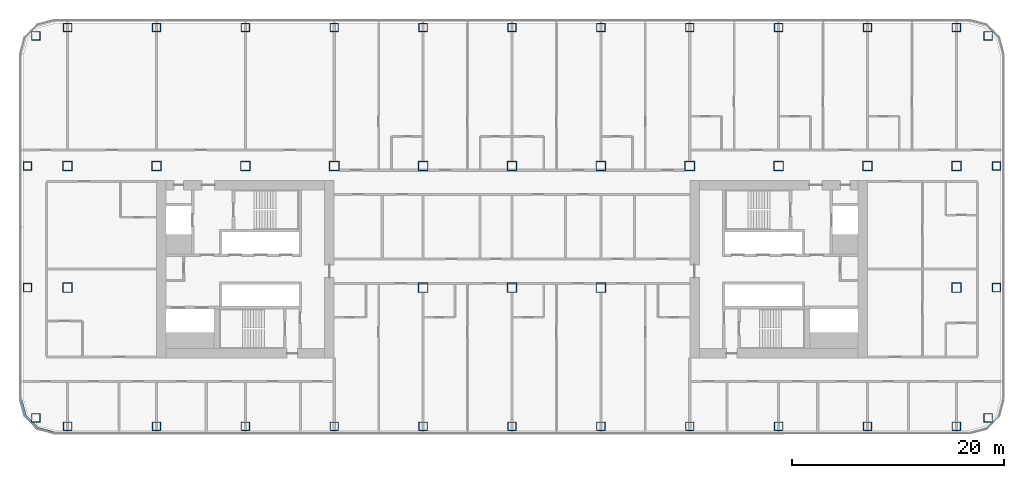
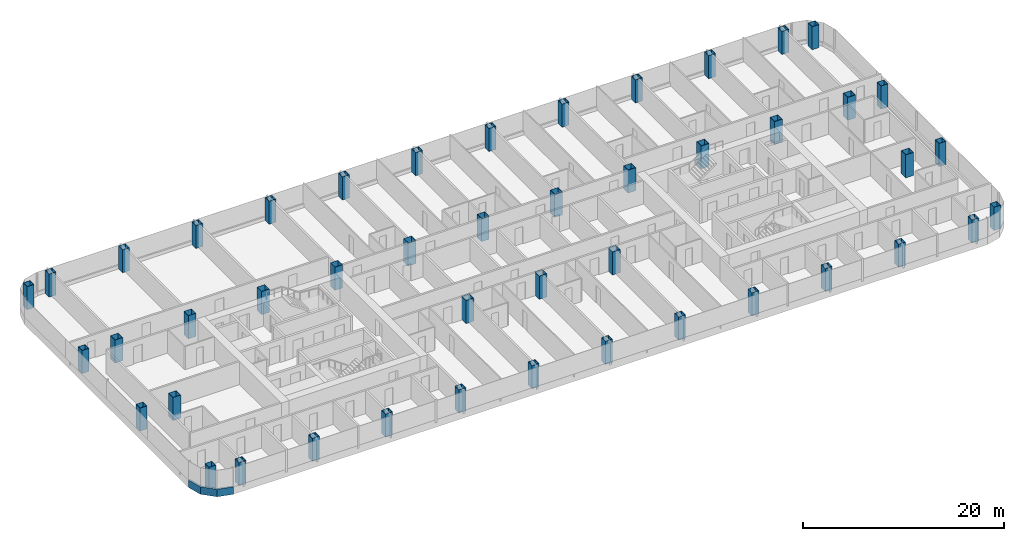
# One storey, part 1 of 29: 46 columns, 1 member, 1 element without a shape of its own.
"""IFC4 building model written with IfcOpenShell, lengths in metres."""

from ifc_helpers import new_model, si_unit, direction, frame, origin, origin_2d, place, context, subcontext, project, spatial, polyline, rectangle, hollow_rectangle, outline, extrude, material, layer, layer_set, material_profile, profile_set, type_object, element, aggregate, save


model = new_model("IFC4")

# Units and contexts
model_context = context("Model", 3, precision=1e-05, world=origin(), true_north=direction((0.0, 1.0)))
body_context = subcontext(model_context, "Body", "Model", "MODEL_VIEW")
ifc_project = project(units=[si_unit("LENGTHUNIT", "METRE"), si_unit("AREAUNIT", "SQUARE_METRE"), si_unit("VOLUMEUNIT", "CUBIC_METRE"), si_unit("PLANEANGLEUNIT", "RADIAN"), si_unit("MASSUNIT", "GRAM", prefix="KILO")], contexts=[model_context])

# Site, building, storey
site_placement = place(None, origin())
site = spatial("IfcSite", under=ifc_project, at=site_placement, CompositionType="ELEMENT")
building_placement = place(site_placement, origin())
building = spatial("IfcBuilding", under=site, at=building_placement, Name="Hakoniwa Tower and Hamabe Station Hall", CompositionType="ELEMENT")
storey_placement = place(building_placement, frame((0.0, 0.0, 88.199951171875)))
storey = spatial("IfcBuildingStorey", under=building, at=storey_placement, Name="L24", CompositionType="ELEMENT", Elevation=88.199951171875)

# Columns
ifc_material_1 = material(Name="Steel SN490C", Category="steel")
ifc_material_profile_1 = material_profile(ifc_material_1, hollow_rectangle(XDim=0.800048828125, YDim=0.800048828125, WallThickness=0.031982421875, at=origin_2d()), Name="BX-800x800x32")
ifc_profile_set_1 = profile_set([ifc_material_profile_1], Name="Steel SN490C")
column_type_1 = type_object("IfcColumnType", Name="COLUMN BX-800x800x32", PredefinedType="COLUMN", material=ifc_profile_set_1)
for number, where, z_axis, x_axis, name in (
    (1, (-45.003173828125, -14.052978515625, 0.0), (0.0, 0.0, 1.0), (1.0, 0.0, 0.0), "Column B2-EW-A2"),
    (2, (-45.800048828125, -1.75, 0.0), (0.0, 0.0, 1.0), (1.0, 0.0, 0.0), "Column B2-EW-C2"),
    (3, (-45.800048828125, 9.75, 0.0), (0.0, 0.0, 1.0), (1.0, 0.0, 0.0), "Column B2-EW-E2"),
    (4, (-45.003173828125, 22.052978515625, 0.0), (0.0, 0.0, 1.0), (1.0, 0.0, 0.0), "Column B2-EW-G2"),
    (5, (-42.0, -14.85009765625, 0.0), (0.0, 0.0, 1.0), (1.0, 0.0, 0.0), "Column B2-2-A2"),
    (6, (-42.0, 22.85009765625, 0.0), (0.0, 0.0, 1.0), (1.0, 0.0, 0.0), "Column B2-2-G2"),
    (7, (-33.60009765625, -14.85009765625, 0.0), (0.0, 0.0, 1.0), (1.0, 0.0, 0.0), "Column B2-3-A2"),
    (8, (-33.60009765625, 22.85009765625, 0.0), (0.0, 0.0, 1.0), (1.0, 0.0, 0.0), "Column B2-3-G2"),
    (9, (-25.199951171875, -14.85009765625, 0.0), (0.0, 0.0, 1.0), (1.0, 0.0, 0.0), "Column B2-4-A2"),
    (10, (-25.199951171875, 22.85009765625, 0.0), (0.0, 0.0, 1.0), (1.0, 0.0, 0.0), "Column B2-4-G2"),
    (11, (-16.800048828125, -14.85009765625, 0.0), (0.0, 0.0, 1.0), (1.0, 0.0, 0.0), "Column B2-5-A2"),
    (12, (-16.800048828125, 22.85009765625, 0.0), (0.0, 0.0, 1.0), (1.0, 0.0, 0.0), "Column B2-5-G2"),
    (13, (-8.39990234375, -14.85009765625, 0.0), (0.0, 0.0, 1.0), (1.0, 0.0, 0.0), "Column B2-6-A2"),
    (14, (-8.39990234375, 22.85009765625, 0.0), (0.0, 0.0, 1.0), (1.0, 0.0, 0.0), "Column B2-6-G2"),
    (15, (0.0, -14.85009765625, 0.0), (0.0, 0.0, 1.0), (1.0, 0.0, 0.0), "Column B2-7-A2"),
    (16, (0.0, 22.85009765625, 0.0), (0.0, 0.0, 1.0), (1.0, 0.0, 0.0), "Column B2-7-G2"),
    (17, (8.39990234375, -14.85009765625, 0.0), (0.0, 0.0, 1.0), (1.0, 0.0, 0.0), "Column B2-8-A2"),
    (18, (8.39990234375, 22.85009765625, 0.0), (0.0, 0.0, 1.0), (1.0, 0.0, 0.0), "Column B2-8-G2"),
    (19, (16.800048828125, -14.85009765625, 0.0), (0.0, 0.0, 1.0), (1.0, 0.0, 0.0), "Column B2-9-A2"),
    (20, (16.800048828125, 22.85009765625, 0.0), (0.0, 0.0, 1.0), (1.0, 0.0, 0.0), "Column B2-9-G2"),
    (21, (25.199951171875, -14.85009765625, 0.0), (0.0, 0.0, 1.0), (1.0, 0.0, 0.0), "Column B2-10-A2"),
    (22, (25.199951171875, 22.85009765625, 0.0), (0.0, 0.0, 1.0), (1.0, 0.0, 0.0), "Column B2-10-G2"),
    (23, (33.60009765625, -14.85009765625, 0.0), (0.0, 0.0, 1.0), (1.0, 0.0, 0.0), "Column B2-11-A2"),
    (24, (33.60009765625, 22.85009765625, 0.0), (0.0, 0.0, 1.0), (1.0, 0.0, 0.0), "Column B2-11-G2"),
    (25, (42.0, -14.85009765625, 0.0), (0.0, 0.0, 1.0), (1.0, 0.0, 0.0), "Column B2-12-A2"),
    (26, (42.0, 22.85009765625, 0.0), (0.0, 0.0, 1.0), (1.0, 0.0, 0.0), "Column B2-12-G2"),
    (27, (45.003173828125, -14.052978515625, 0.0), (0.0, 0.0, 1.0), (1.0, 0.0, 0.0), "Column B2-EE-A2"),
    (28, (45.800048828125, -1.75, 0.0), (0.0, 0.0, 1.0), (1.0, 0.0, 0.0), "Column B2-EE-C2"),
    (29, (45.800048828125, 9.75, 0.0), (0.0, 0.0, 1.0), (1.0, 0.0, 0.0), "Column B2-EE-E2"),
    (30, (45.003173828125, 22.052978515625, 0.0), (0.0, 0.0, 1.0), (1.0, 0.0, 0.0), "Column B2-EE-G2"),
):
    element("IfcColumn", number, at=place(storey_placement, frame(where, z_axis=z_axis, x_axis=x_axis)), inside=storey, type_object=column_type_1, Name=name, PredefinedType="COLUMN", context=body_context, shape_type="SweptSolid", body=[
        extrude(hollow_rectangle(XDim=0.800048828125, YDim=0.800048828125, WallThickness=0.031982421875, at=origin_2d()), origin(), (0.0, 0.0, 1.0), 2.800048828125),
    ])
ifc_material_2 = material(Name="Steel SN490C", Category="steel")
ifc_material_profile_2 = material_profile(ifc_material_2, hollow_rectangle(XDim=0.89990234375, YDim=0.89990234375, WallThickness=0.035888671875, at=origin_2d()), Name="BX-900x900x36")
ifc_profile_set_2 = profile_set([ifc_material_profile_2], Name="Steel SN490C")
column_type_2 = type_object("IfcColumnType", Name="COLUMN BX-900x900x36", PredefinedType="COLUMN", material=ifc_profile_set_2)
for number, where, z_axis, x_axis, name in (
    (31, (-42.0, -1.75, 0.0), (0.0, 0.0, 1.0), (1.0, 0.0, 0.0), "Column B2-2-C2"),
    (32, (-42.0, 9.75, 0.0), (0.0, 0.0, 1.0), (1.0, 0.0, 0.0), "Column B2-2-E2"),
    (33, (-33.60009765625, 9.75, 0.0), (0.0, 0.0, 1.0), (1.0, 0.0, 0.0), "Column B2-3-E2"),
    (34, (-25.199951171875, 9.75, 0.0), (0.0, 0.0, 1.0), (1.0, 0.0, 0.0), "Column B2-4-E2"),
    (35, (-16.800048828125, 9.75, 0.0), (0.0, 0.0, 1.0), (1.0, 0.0, 0.0), "Column B2-5-E2"),
    (36, (-8.39990234375, -1.75, 0.0), (0.0, 0.0, 1.0), (1.0, 0.0, 0.0), "Column B2-6-C2"),
    (37, (-8.39990234375, 9.75, 0.0), (0.0, 0.0, 1.0), (1.0, 0.0, 0.0), "Column B2-6-E2"),
    (38, (0.0, -1.75, 0.0), (0.0, 0.0, 1.0), (1.0, 0.0, 0.0), "Column B2-7-C2"),
    (39, (0.0, 9.75, 0.0), (0.0, 0.0, 1.0), (1.0, 0.0, 0.0), "Column B2-7-E2"),
    (40, (8.39990234375, -1.75, 0.0), (0.0, 0.0, 1.0), (1.0, 0.0, 0.0), "Column B2-8-C2"),
    (41, (8.39990234375, 9.75, 0.0), (0.0, 0.0, 1.0), (1.0, 0.0, 0.0), "Column B2-8-E2"),
    (42, (16.800048828125, 9.75, 0.0), (0.0, 0.0, 1.0), (1.0, 0.0, 0.0), "Column B2-9-E2"),
    (43, (25.199951171875, 9.75, 0.0), (0.0, 0.0, 1.0), (1.0, 0.0, 0.0), "Column B2-10-E2"),
    (44, (33.60009765625, 9.75, 0.0), (0.0, 0.0, 1.0), (1.0, 0.0, 0.0), "Column B2-11-E2"),
    (45, (42.0, -1.75, 0.0), (0.0, 0.0, 1.0), (1.0, 0.0, 0.0), "Column B2-12-C2"),
    (46, (42.0, 9.75, 0.0), (0.0, 0.0, 1.0), (1.0, 0.0, 0.0), "Column B2-12-E2"),
):
    element("IfcColumn", number, at=place(storey_placement, frame(where, z_axis=z_axis, x_axis=x_axis)), inside=storey, type_object=column_type_2, Name=name, PredefinedType="COLUMN", context=body_context, shape_type="SweptSolid", body=[
        extrude(hollow_rectangle(XDim=0.89990234375, YDim=0.89990234375, WallThickness=0.035888671875, at=origin_2d()), origin(), (0.0, 0.0, 1.0), 2.800048828125),
    ])

# Curtain wall, member
ifc_material_3 = material(Name="Dark low-e laminated glass", Category="glass")
ifc_layer = layer(ifc_material_3, 0.199951171875)
ifc_layer_set = layer_set([ifc_layer], Name="CW-1 UNITISED GUEST")
curtain_wall_type = type_object("IfcCurtainWallType", Name="CW-1 UNITISED GUEST", PredefinedType="NOTDEFINED", material=ifc_layer_set)
curtain_wall_placement = place(storey_placement, origin())
curtain_wall = element("IfcCurtainWall", 47, at=curtain_wall_placement, inside=storey, type_object=curtain_wall_type, Name="CW-1 curtain wall", PredefinedType="NOTDEFINED")
ifc_material_4 = material(Name="Aluminium 6063-T5 black anodised", Category="aluminium")
ifc_material_profile_3 = material_profile(ifc_material_4, rectangle(XDim=0.199951171875, YDim=0.89990234375, at=origin_2d()), Name="CW SLAB-EDGE BAND 900X200")
ifc_profile_set_3 = profile_set([ifc_material_profile_3], Name="Aluminium 6063-T5 black anodised")
member_type = type_object("IfcMemberType", Name="CW SLAB-EDGE BAND 900X200", PredefinedType="USERDEFINED", material=ifc_profile_set_3)
member_placement = place(storey_placement, frame((0.0, 0.0, -0.550048828125)))
member = element("IfcMember", 48, at=member_placement, type_object=member_type, Name="CW-1 transom", ObjectType="TRANSOM", PredefinedType="USERDEFINED", context=body_context, shape_type="SweptSolid", body=[
    extrude(outline(polyline([(-46.5, -12.28955078125), (-46.067138671875, -13.9052734375), (-44.855224609375, -15.116943359375), (-43.239501953125, -15.550048828125), (-43.187744140625, -15.35693359375), (-44.751708984375, -14.937744140625), (-45.8876953125, -13.8017578125), (-46.306884765625, -12.23779296875), (-46.5, -12.28955078125)])), origin(), (0.0, 0.0, 1.0), 0.900146484375),
])
aggregate(curtain_wall, [member])

save(model, "model.ifc")
